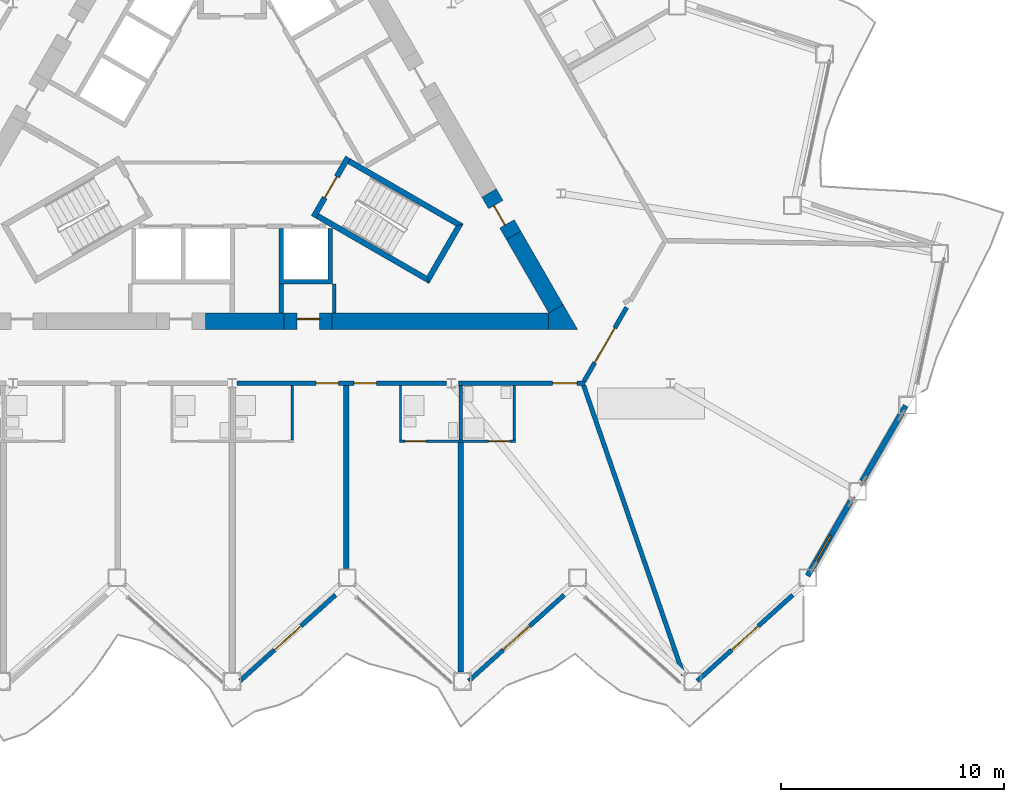
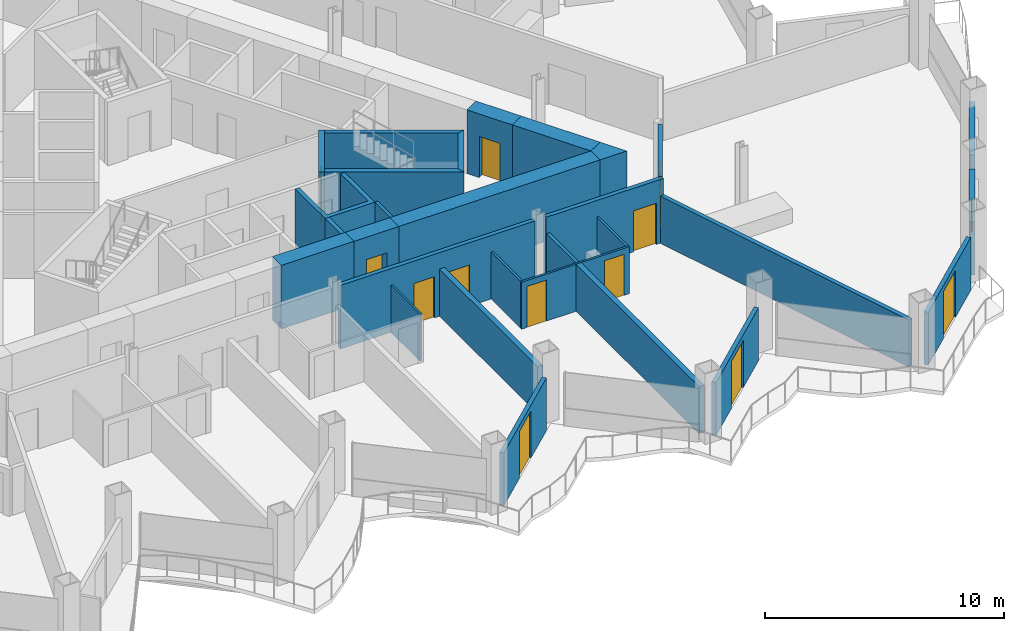
# One storey, part 12 of 23: 29 walls, 12 doors, 1 window, 13 openings.
"""IFC4 building model written with IfcOpenShell, lengths in metres."""

from ifc_helpers import new_model, si_unit, direction, frame, frame_2d, origin, place, context, subcontext, project, spatial, polyline, rectangle, outline, extrude, material, layer, layer_set, type_object, element, fill, save


model = new_model("IFC4")

# Units and contexts
model_context = context("Model", 3, precision=1e-05, world=origin(), true_north=direction((0.0, 1.0)))
body_context = subcontext(model_context, "Body", "Model", "MODEL_VIEW")
ifc_project = project(units=[si_unit("LENGTHUNIT", "METRE"), si_unit("AREAUNIT", "SQUARE_METRE"), si_unit("VOLUMEUNIT", "CUBIC_METRE"), si_unit("PLANEANGLEUNIT", "RADIAN"), si_unit("MASSUNIT", "GRAM", prefix="KILO")], contexts=[model_context])

# Site, building, storey
site_placement = place(None, origin())
site = spatial("IfcSite", under=ifc_project, at=site_placement, CompositionType="ELEMENT")
building_placement = place(site_placement, origin())
building = spatial("IfcBuilding", under=site, at=building_placement, Name="Cormorant Prow Tower", CompositionType="ELEMENT")
storey_placement = place(building_placement, frame((0.0, 0.0, 180.0)))
storey = spatial("IfcBuildingStorey", under=building, at=storey_placement, Name="L38", CompositionType="ELEMENT", Elevation=180.0)

# Walls
ifc_material_1 = material(Name="Gypsum board partition")
ifc_layer_1 = layer(ifc_material_1, 0.14990234375)
ifc_layer_set_1 = layer_set([ifc_layer_1], Name="Gypsum board partition")
wall_type_1 = type_object("IfcWallType", Name="Core partition 150", PredefinedType="PARTITIONING", material=ifc_layer_set_1)
wall_1_placement = place(storey_placement, frame((4.574951171875, -6.906005859375, 0.0), z_axis=(0.0, 0.0, 1.0), x_axis=(0.0, -1.0, 0.0)))
element("IfcWall", 1, at=wall_1_placement, inside=storey, type_object=wall_type_1, Name="Service room partition", PredefinedType="PARTITIONING", context=body_context, shape_type="SweptSolid", body=[
    extrude(rectangle(XDim=1.29296875, YDim=0.14990234375, at=frame_2d((0.646484375, 0.0))), origin(), (0.0, 0.0, 1.0), 3.25),
])
ifc_material_2 = material(Name="Concrete 8000 psi", Category="concrete")
ifc_layer_2 = layer(ifc_material_2, 0.75)
ifc_layer_set_2 = layer_set([ifc_layer_2], Name="Concrete 8000 psi")
wall_type_2 = type_object("IfcWallType", Name="Core shear wall 750", PredefinedType="SHEAR", material=ifc_layer_set_2)
wall_2_placement = place(storey_placement, frame((4.47998046875, -8.573974609375, 0.0), z_axis=(0.0, 0.0, 1.0), x_axis=(1.0, 0.0, 0.0)))
element("IfcWall", 2, at=wall_2_placement, inside=storey, type_object=wall_type_2, Name="Core wall", PredefinedType="SHEAR", context=body_context, shape_type="SweptSolid", body=[
    extrude(rectangle(XDim=9.720947265625, YDim=0.75, at=frame_2d((4.8603515625, 0.0))), origin(), (0.0, 0.0, 1.0), 3.25),
])
wall_3_placement = place(storey_placement, frame((-1.199951171875, -8.573974609375, 0.0), z_axis=(0.0, 0.0, 1.0), x_axis=(1.0, 0.0, 0.0)))
element("IfcWall", 3, at=wall_3_placement, inside=storey, type_object=wall_type_2, Name="Core wall", PredefinedType="SHEAR", context=body_context, shape_type="SweptSolid", body=[
    extrude(rectangle(XDim=3.52001953125, YDim=0.75, at=frame_2d((1.760009765625, 0.0))), origin(), (0.0, 0.0, 1.0), 3.25),
])
wall_4_placement = place(storey_placement, frame((14.525634765625, -8.011474609375, 0.0), z_axis=(0.0, 0.0, 1.0), x_axis=(-0.499996970966, 0.866027152591, 0.0)))
element("IfcWall", 4, at=wall_4_placement, inside=storey, type_object=wall_type_2, Name="Core wall", PredefinedType="SHEAR", context=body_context, shape_type="SweptSolid", body=[
    extrude(rectangle(XDim=3.7978515625, YDim=0.75, at=frame_2d((1.89892578125, 0.0))), origin(), (0.0, 0.0, 1.0), 3.25),
])
wall_5_placement = place(storey_placement, origin())
element("IfcWall", 5, at=wall_5_placement, inside=storey, type_object=wall_type_2, Name="Core wall corner", PredefinedType="SHEAR", context=body_context, shape_type="SweptSolid", body=[
    extrude(outline(polyline([(14.200927734375, -8.948974609375), (14.200927734375, -8.198974609375), (14.8505859375, -7.823974609375), (15.5, -8.948974609375), (14.200927734375, -8.948974609375)])), origin(), (0.0, 0.0, 1.0), 3.25),
])

# Wall, opening, door
wall_6_placement = place(storey_placement, frame((2.320068359375, -8.573974609375, 0.0), z_axis=(0.0, 0.0, 1.0), x_axis=(1.0, 0.0, 0.0)))
wall_6 = element("IfcWall", 6, at=wall_6_placement, inside=storey, type_object=wall_type_2, Name="Core wall door panel", PredefinedType="SHEAR", context=body_context, shape_type="SweptSolid", body=[
    extrude(rectangle(XDim=2.159912109375, YDim=0.75, at=frame_2d((1.080078125, 0.0))), origin(), (0.0, 0.0, 1.0), 3.25),
])
opening_1_placement = place(wall_6_placement, frame((0.60009765625, 0.0, 0.0)))
opening_1 = element("IfcOpeningElement", 7, at=opening_1_placement, cuts=wall_6, Name="Opening L38-C15", PredefinedType="OPENING", context=body_context, shape_type="SweptSolid", body=[
    extrude(rectangle(XDim=1.0, YDim=2.10009765625, at=frame_2d((0.5, 1.050048828125))), frame((0.0, 0.385009765625, 0.0), z_axis=(0.0, -1.0, 0.0), x_axis=(1.0, 0.0, 0.0)), (0.0, 0.0, 1.0), 0.77001953125),
])
ifc_material_3 = material(Name="Painted steel", Category="steel")
door_type_1 = type_object("IfcDoorType", Name="Service door 1000x2100", OperationType="NOTDEFINED", PredefinedType="DOOR", material=ifc_material_3)
door_1_placement = place(opening_1_placement, origin())
door_1 = element("IfcDoor", 8, at=door_1_placement, inside=storey, type_object=door_type_1, Name="Core door, Electrical room", OperationType="SINGLE_SWING_LEFT", OverallHeight=2.10009765625, OverallWidth=1.0, PredefinedType="DOOR", context=body_context, shape_type="SweptSolid", body=[
    extrude(rectangle(XDim=1.0, YDim=2.10009765625, at=frame_2d((0.5, 1.050048828125))), frame((0.0, 0.1298828125, 0.0), z_axis=(0.0, -1.0, 0.0), x_axis=(1.0, 0.0, 0.0)), (0.0, 0.0, 1.0), 0.050048828125),
])
fill(opening_1, door_1)

wall_7_placement = place(storey_placement, frame((12.626708984375, -4.722412109375, 0.0), z_axis=(0.0, 0.0, 1.0), x_axis=(-0.499946605688, 0.86605622881, 0.0)))
wall_7 = element("IfcWall", 9, at=wall_7_placement, inside=storey, type_object=wall_type_2, Name="Core wall door panel", PredefinedType="SHEAR", context=body_context, shape_type="SweptSolid", body=[
    extrude(rectangle(XDim=2.199951171875, YDim=0.75, at=frame_2d((1.10009765625, 0.0))), origin(), (0.0, 0.0, 1.0), 3.25),
])
opening_2_placement = place(wall_7_placement, frame((0.60009765625, 0.0, 0.0)))
opening_2 = element("IfcOpeningElement", 10, at=opening_2_placement, cuts=wall_7, Name="Opening L38-C17", PredefinedType="OPENING", context=body_context, shape_type="SweptSolid", body=[
    extrude(rectangle(XDim=1.0, YDim=2.10009765625, at=frame_2d((0.5, 1.050048828125))), frame((0.0, 0.385009765625, 0.0), z_axis=(0.0, -1.0, 0.0), x_axis=(1.0, 0.0, 0.0)), (0.0, 0.0, 1.0), 0.77001953125),
])
door_2_placement = place(opening_2_placement, origin())
door_2 = element("IfcDoor", 11, at=door_2_placement, inside=storey, type_object=door_type_1, Name="Core door, Refuse store", OperationType="SINGLE_SWING_LEFT", OverallHeight=2.10009765625, OverallWidth=1.0, PredefinedType="DOOR", context=body_context, shape_type="SweptSolid", body=[
    extrude(rectangle(XDim=1.0, YDim=2.10009765625, at=frame_2d((0.5, 1.050048828125))), frame((0.0, 0.1298828125, 0.0), z_axis=(0.0, -1.0, 0.0), x_axis=(1.0, 0.0, 0.0)), (0.0, 0.0, 1.0), 0.050048828125),
])
fill(opening_2, door_2)

# Wall, openings, doors
ifc_material_4 = material(Name="Gypsum board corridor wall")
ifc_layer_3 = layer(ifc_material_4, 0.199951171875)
ifc_layer_set_3 = layer_set([ifc_layer_3], Name="Gypsum board corridor wall")
wall_type_3 = type_object("IfcWallType", Name="Corridor wall 200", PredefinedType="PARTITIONING", material=ifc_layer_set_3)
wall_8_placement = place(storey_placement, frame((0.213623046875, -11.348876953125, 0.0), z_axis=(0.0, 0.0, 1.0), x_axis=(1.0, 0.0, 0.0)))
wall_8 = element("IfcWall", 12, at=wall_8_placement, inside=storey, type_object=wall_type_3, Name="Corridor wall", PredefinedType="PARTITIONING", context=body_context, shape_type="SweptSolid", body=[
    extrude(rectangle(XDim=9.401123046875, YDim=0.199951171875, at=frame_2d((4.70068359375, 0.0))), origin(), (0.0, 0.0, 1.0), 3.25),
])
opening_3_placement = place(wall_8_placement, frame((3.550537109375, 0.0, 0.0)))
opening_3 = element("IfcOpeningElement", 13, at=opening_3_placement, cuts=wall_8, Name="Opening L38-F07", PredefinedType="OPENING", context=body_context, shape_type="SweptSolid", body=[
    extrude(rectangle(XDim=1.0, YDim=2.10009765625, at=frame_2d((0.5, 1.050048828125))), frame((0.0, 0.10986328125, 0.0), z_axis=(0.0, -1.0, 0.0), x_axis=(1.0, 0.0, 0.0)), (0.0, 0.0, 1.0), 0.219970703125),
])
opening_4_placement = place(wall_8_placement, frame((5.250732421875, 0.0, 0.0)))
opening_4 = element("IfcOpeningElement", 14, at=opening_4_placement, cuts=wall_8, Name="Opening L38-F09", PredefinedType="OPENING", context=body_context, shape_type="SweptSolid", body=[
    extrude(rectangle(XDim=1.0, YDim=2.10009765625, at=frame_2d((0.5, 1.050048828125))), frame((0.0, 0.10986328125, 0.0), z_axis=(0.0, -1.0, 0.0), x_axis=(1.0, 0.0, 0.0)), (0.0, 0.0, 1.0), 0.219970703125),
])
ifc_material_5 = material(Name="Timber door leaf", Category="wood")
door_type_2 = type_object("IfcDoorType", Name="Flat or room entrance door 1000x2100", OperationType="NOTDEFINED", PredefinedType="DOOR", material=ifc_material_5)
door_3_placement = place(opening_3_placement, origin())
door_3 = element("IfcDoor", 15, at=door_3_placement, inside=storey, type_object=door_type_2, Name="Guest room door", OperationType="SINGLE_SWING_RIGHT", OverallHeight=2.10009765625, OverallWidth=1.0, PredefinedType="DOOR", context=body_context, shape_type="SweptSolid", body=[
    extrude(rectangle(XDim=1.0, YDim=2.10009765625, at=frame_2d((0.5, 1.050048828125))), frame((0.0, 0.02490234375, 0.0), z_axis=(0.0, -1.0, 0.0), x_axis=(1.0, 0.0, 0.0)), (0.0, 0.0, 1.0), 0.050048828125),
])
fill(opening_3, door_3)
door_4_placement = place(opening_4_placement, origin())
door_4 = element("IfcDoor", 16, at=door_4_placement, inside=storey, type_object=door_type_2, Name="Guest room door", OperationType="SINGLE_SWING_LEFT", OverallHeight=2.10009765625, OverallWidth=1.0, PredefinedType="DOOR", context=body_context, shape_type="SweptSolid", body=[
    extrude(rectangle(XDim=1.0, YDim=2.10009765625, at=frame_2d((0.5, 1.050048828125))), frame((0.0, 0.02490234375, 0.0), z_axis=(0.0, -1.0, 0.0), x_axis=(1.0, 0.0, 0.0)), (0.0, 0.0, 1.0), 0.050048828125),
])
fill(opening_4, door_4)

# Wall, opening, door
wall_9_placement = place(storey_placement, frame((10.144287109375, -11.348876953125, 0.0), z_axis=(0.0, 0.0, 1.0), x_axis=(1.0, 0.0, 0.0)))
wall_9 = element("IfcWall", 17, at=wall_9_placement, inside=storey, type_object=wall_type_3, Name="Corridor wall", PredefinedType="PARTITIONING", context=body_context, shape_type="SweptSolid", body=[
    extrude(rectangle(XDim=5.6865234375, YDim=0.199951171875, at=frame_2d((2.84326171875, 0.0))), origin(), (0.0, 0.0, 1.0), 3.25),
])
opening_5_placement = place(wall_9_placement, frame((4.234619140625, 0.0, 0.0)))
opening_5 = element("IfcOpeningElement", 18, at=opening_5_placement, cuts=wall_9, Name="Opening L38-F11", PredefinedType="OPENING", context=body_context, shape_type="SweptSolid", body=[
    extrude(rectangle(XDim=1.10009765625, YDim=2.10009765625, at=frame_2d((0.550048828125, 1.050048828125))), frame((0.0, 0.10986328125, 0.0), z_axis=(0.0, -1.0, 0.0), x_axis=(1.0, 0.0, 0.0)), (0.0, 0.0, 1.0), 0.219970703125),
])
ifc_material_6 = material(Name="Timber door leaf", Category="wood")
door_type_3 = type_object("IfcDoorType", Name="Suite entrance door 1100x2100", OperationType="NOTDEFINED", PredefinedType="DOOR", material=ifc_material_6)
door_5_placement = place(opening_5_placement, origin())
door_5 = element("IfcDoor", 19, at=door_5_placement, inside=storey, type_object=door_type_3, Name="Junior suite door", OperationType="SINGLE_SWING_RIGHT", OverallHeight=2.10009765625, OverallWidth=1.10009765625, PredefinedType="DOOR", context=body_context, shape_type="SweptSolid", body=[
    extrude(rectangle(XDim=1.10009765625, YDim=2.10009765625, at=frame_2d((0.550048828125, 1.050048828125))), frame((0.0, 0.02490234375, 0.0), z_axis=(0.0, -1.0, 0.0), x_axis=(1.0, 0.0, 0.0)), (0.0, 0.0, 1.0), 0.050048828125),
])
fill(opening_5, door_5)

wall_10_placement = place(storey_placement, frame((15.781005859375, -11.26220703125, 0.0), z_axis=(0.0, 0.0, 1.0), x_axis=(0.499989446428, 0.866031496806, 0.0)))
wall_10 = element("IfcWall", 20, at=wall_10_placement, inside=storey, type_object=wall_type_3, Name="Corridor wall", PredefinedType="PARTITIONING", context=body_context, shape_type="SweptSolid", body=[
    extrude(rectangle(XDim=3.82568359375, YDim=0.199951171875, at=frame_2d((1.912841796875, 0.0))), origin(), (0.0, 0.0, 1.0), 3.25),
])
opening_6_placement = place(wall_10_placement, frame((0.962158203125, 0.0, 0.0)))
opening_6 = element("IfcOpeningElement", 21, at=opening_6_placement, cuts=wall_10, Name="Opening L38-F13", PredefinedType="OPENING", context=body_context, shape_type="SweptSolid", body=[
    extrude(rectangle(XDim=1.800048828125, YDim=2.10009765625, at=frame_2d((0.89990234375, 1.050048828125))), frame((0.0, 0.10986328125, 0.0), z_axis=(0.0, -1.0, 0.0), x_axis=(1.0, 0.0, 0.0)), (0.0, 0.0, 1.0), 0.219970703125),
])
ifc_material_7 = material(Name="Timber door leaf", Category="wood")
door_type_4 = type_object("IfcDoorType", Name="Double door 1800x2100", OperationType="DOUBLE_DOOR_SINGLE_SWING", PredefinedType="DOOR", material=ifc_material_7)
door_6_placement = place(opening_6_placement, origin())
door_6 = element("IfcDoor", 22, at=door_6_placement, inside=storey, type_object=door_type_4, Name="Co-working space door", OperationType="DOUBLE_DOOR_SINGLE_SWING", OverallHeight=2.10009765625, OverallWidth=1.800048828125, PredefinedType="DOOR", context=body_context, shape_type="SweptSolid", body=[
    extrude(rectangle(XDim=1.800048828125, YDim=2.10009765625, at=frame_2d((0.89990234375, 1.050048828125))), frame((0.0, 0.02490234375, 0.0), z_axis=(0.0, -1.0, 0.0), x_axis=(1.0, 0.0, 0.0)), (0.0, 0.0, 1.0), 0.050048828125),
])
fill(opening_6, door_6)

# Wall
ifc_material_8 = material(Name="Gypsum board demising wall")
ifc_layer_4 = layer(ifc_material_8, 0.199951171875)
ifc_layer_set_4 = layer_set([ifc_layer_4], Name="Gypsum board demising wall")
wall_type_4 = type_object("IfcWallType", Name="Demising wall 200", PredefinedType="PARTITIONING", material=ifc_layer_set_4)
wall_11_placement = place(storey_placement, frame((15.763427734375, -11.443603515625, 0.0), z_axis=(0.0, 0.0, 1.0), x_axis=(0.325902118519, -0.945403516571, 0.0)))
element("IfcWall", 23, at=wall_11_placement, inside=storey, type_object=wall_type_4, Name="Demising wall", PredefinedType="PARTITIONING", context=body_context, shape_type="SweptSolid", body=[
    extrude(rectangle(XDim=13.762939453125, YDim=0.199951171875, at=frame_2d((6.88134765625, 0.0))), origin(), (0.0, 0.0, 1.0), 2.404296875),
])

# Wall, openings, doors
ifc_material_9 = material(Name="Gypsum board partition")
ifc_layer_5 = layer(ifc_material_9, 0.10009765625)
ifc_layer_set_5 = layer_set([ifc_layer_5], Name="Gypsum board partition")
wall_type_5 = type_object("IfcWallType", Name="Internal partition 100", PredefinedType="PARTITIONING", material=ifc_layer_set_5)
wall_12_placement = place(storey_placement, frame((7.504150390625, -13.948974609375, 0.0), z_axis=(0.0, 0.0, 1.0), x_axis=(1.0, 0.0, 0.0)))
wall_12 = element("IfcWall", 24, at=wall_12_placement, inside=storey, type_object=wall_type_5, Name="Internal partition", PredefinedType="PARTITIONING", context=body_context, shape_type="SweptSolid", body=[
    extrude(rectangle(XDim=5.199951171875, YDim=0.10009765625, at=frame_2d((2.60009765625, 0.0))), origin(), (0.0, 0.0, 1.0), 2.404296875),
])
opening_7_placement = place(wall_12_placement, frame((0.25, 0.0, 0.0)))
opening_7 = element("IfcOpeningElement", 25, at=opening_7_placement, cuts=wall_12, Name="Opening L38-F10", PredefinedType="OPENING", context=body_context, shape_type="SweptSolid", body=[
    extrude(rectangle(XDim=0.949951171875, YDim=2.10009765625, at=frame_2d((0.47509765625, 1.050048828125))), frame((0.0, 0.06005859375, 0.0), z_axis=(0.0, -1.0, 0.0), x_axis=(1.0, 0.0, 0.0)), (0.0, 0.0, 1.0), 0.1201171875),
])
opening_8_placement = place(wall_12_placement, frame((4.0, 0.0, 0.0)))
opening_8 = element("IfcOpeningElement", 26, at=opening_8_placement, cuts=wall_12, Name="Opening L38-F12", PredefinedType="OPENING", context=body_context, shape_type="SweptSolid", body=[
    extrude(rectangle(XDim=0.949951171875, YDim=2.10009765625, at=frame_2d((0.47509765625, 1.050048828125))), frame((0.0, 0.06005859375, 0.0), z_axis=(0.0, -1.0, 0.0), x_axis=(1.0, 0.0, 0.0)), (0.0, 0.0, 1.0), 0.1201171875),
])
ifc_material_10 = material(Name="Timber door leaf", Category="wood")
door_type_5 = type_object("IfcDoorType", Name="Bathroom door 950x2100", OperationType="NOTDEFINED", PredefinedType="DOOR", material=ifc_material_10)
door_7_placement = place(opening_7_placement, origin())
door_7 = element("IfcDoor", 27, at=door_7_placement, inside=storey, type_object=door_type_5, Name="Guest room door", OperationType="SINGLE_SWING_LEFT", OverallHeight=2.10009765625, OverallWidth=0.949951171875, PredefinedType="DOOR", context=body_context, shape_type="SweptSolid", body=[
    extrude(rectangle(XDim=0.949951171875, YDim=2.10009765625, at=frame_2d((0.47509765625, 1.050048828125))), frame((0.0, 0.02490234375, 0.0), z_axis=(0.0, -1.0, 0.0), x_axis=(1.0, 0.0, 0.0)), (0.0, 0.0, 1.0), 0.050048828125),
])
fill(opening_7, door_7)
door_8_placement = place(opening_8_placement, origin())
door_8 = element("IfcDoor", 28, at=door_8_placement, inside=storey, type_object=door_type_5, Name="Junior suite door", OperationType="SINGLE_SWING_RIGHT", OverallHeight=2.10009765625, OverallWidth=0.949951171875, PredefinedType="DOOR", context=body_context, shape_type="SweptSolid", body=[
    extrude(rectangle(XDim=0.949951171875, YDim=2.10009765625, at=frame_2d((0.47509765625, 1.050048828125))), frame((0.0, 0.02490234375, 0.0), z_axis=(0.0, -1.0, 0.0), x_axis=(1.0, 0.0, 0.0)), (0.0, 0.0, 1.0), 0.050048828125),
])
fill(opening_8, door_8)

# Walls
for number, where, z_axis, x_axis, name in (
    (29, (2.699951171875, -13.89892578125, 0.0), (0.0, 0.0, 1.0), (0.0, 1.0, 0.0), "Internal partition"),
    (30, (7.55419921875, -13.89892578125, 0.0), (0.0, 0.0, 1.0), (0.0, 1.0, 0.0), "Internal partition"),
    (31, (12.654296875, -13.89892578125, 0.0), (0.0, 0.0, 1.0), (0.0, 1.0, 0.0), "Internal partition"),
):
    element("IfcWall", number, at=place(storey_placement, frame(where, z_axis=z_axis, x_axis=x_axis)), inside=storey, type_object=wall_type_5, Name=name, PredefinedType="PARTITIONING", context=body_context, shape_type="SweptSolid", body=[
        extrude(rectangle(XDim=2.449951171875, YDim=0.10009765625, at=frame_2d((1.22509765625, 0.0))), origin(), (0.0, 0.0, 1.0), 2.404296875),
    ])
ifc_material_11 = material(Name="Concrete 8000 psi", Category="concrete")
ifc_layer_6 = layer(ifc_material_11, 0.199951171875)
ifc_layer_set_6 = layer_set([ifc_layer_6], Name="Concrete 8000 psi")
wall_type_6 = type_object("IfcWallType", Name="Lift shaft wall 200", PredefinedType="SHEAR", material=ifc_layer_set_6)
wall_13_placement = place(storey_placement, origin())
element("IfcWall", 32, at=wall_13_placement, inside=storey, type_object=wall_type_6, Name="Lift shaft walls, S block", PredefinedType="SHEAR", context=body_context, shape_type="SweptSolid", body=[
    extrude(outline(polyline([(4.5, -4.39990234375), (4.5, -6.906005859375), (2.10009765625, -6.906005859375), (2.10009765625, -4.39990234375), (2.300048828125, -4.39990234375), (2.300048828125, -6.699951171875), (4.300048828125, -6.699951171875), (4.300048828125, -4.39990234375), (4.5, -4.39990234375)])), origin(), (0.0, 0.0, 1.0), 3.25),
])
wall_14_placement = place(storey_placement, frame((2.199951171875, -6.906005859375, 0.0), z_axis=(0.0, 0.0, 1.0), x_axis=(0.0, -1.0, 0.0)))
element("IfcWall", 33, at=wall_14_placement, inside=storey, type_object=wall_type_6, Name="Store side wall", PredefinedType="SHEAR", context=body_context, shape_type="SweptSolid", body=[
    extrude(rectangle(XDim=1.29296875, YDim=0.199951171875, at=frame_2d((0.646484375, 0.0))), origin(), (0.0, 0.0, 1.0), 3.25),
])
ifc_material_12 = material(Name="Concrete 8000 psi", Category="concrete")
ifc_layer_7 = layer(ifc_material_12, 0.25)
ifc_layer_set_7 = layer_set([ifc_layer_7], Name="Concrete 8000 psi")
wall_type_7 = type_object("IfcWallType", Name="Stair wall 250", PredefinedType="SHEAR", material=ifc_layer_set_7)
wall_15_placement = place(storey_placement, origin())
element("IfcWall", 34, at=wall_15_placement, inside=storey, type_object=wall_type_7, Name="Stair ST2 enclosure wall (flank)", PredefinedType="SHEAR", context=body_context, shape_type="SweptSolid", body=[
    extrude(outline(polyline([(3.76318359375, -3.95556640625), (8.82958984375, -6.880615234375), (8.738037109375, -6.5390625), (3.88818359375, -3.739013671875), (3.76318359375, -3.95556640625)])), origin(), (0.0, 0.0, 1.0), 3.25),
])
wall_16_placement = place(storey_placement, origin())
element("IfcWall", 35, at=wall_16_placement, inside=storey, type_object=wall_type_7, Name="Stair ST2 enclosure wall (end)", PredefinedType="SHEAR", context=body_context, shape_type="SweptSolid", body=[
    extrude(outline(polyline([(8.82958984375, -6.880615234375), (10.37353515625, -4.206298828125), (10.031982421875, -4.2978515625), (8.738037109375, -6.5390625), (8.82958984375, -6.880615234375)])), origin(), (0.0, 0.0, 1.0), 3.25),
])
wall_17_placement = place(storey_placement, origin())
element("IfcWall", 36, at=wall_17_placement, inside=storey, type_object=wall_type_7, Name="Stair ST2 enclosure wall (flank)", PredefinedType="SHEAR", context=body_context, shape_type="SweptSolid", body=[
    extrude(outline(polyline([(10.031982421875, -4.2978515625), (10.37353515625, -4.206298828125), (5.30712890625, -1.28125), (5.18212890625, -1.497802734375), (10.031982421875, -4.2978515625)])), origin(), (0.0, 0.0, 1.0), 3.25),
])

# Wall, opening, door
wall_18_placement = place(storey_placement, frame((3.655029296875, -3.89306640625, 0.0), z_axis=(0.0, 0.0, 1.0), x_axis=(0.499982516597, 0.866035497597, 0.0)))
wall_18 = element("IfcWall", 37, at=wall_18_placement, inside=storey, type_object=wall_type_7, Name="Stair ST2 door wall", PredefinedType="SHEAR", context=body_context, shape_type="SweptSolid", body=[
    extrude(rectangle(XDim=3.087890625, YDim=0.25, at=frame_2d((1.5439453125, 0.0))), origin(), (0.0, 0.0, 1.0), 3.25),
])
opening_9_placement = place(wall_18_placement, frame((0.993896484375, 0.0, 0.0)))
opening_9 = element("IfcOpeningElement", 38, at=opening_9_placement, cuts=wall_18, Name="Opening L38-C12", PredefinedType="OPENING", context=body_context, shape_type="SweptSolid", body=[
    extrude(rectangle(XDim=1.10009765625, YDim=2.10009765625, at=frame_2d((0.550048828125, 1.050048828125))), frame((0.0, 0.135009765625, 0.0), z_axis=(0.0, -1.0, 0.0), x_axis=(1.0, 0.0, 0.0)), (0.0, 0.0, 1.0), 0.27001953125),
])
ifc_material_13 = material(Name="Painted steel", Category="steel")
door_type_6 = type_object("IfcDoorType", Name="Stair door 1100x2100", OperationType="NOTDEFINED", PredefinedType="DOOR", material=ifc_material_13)
door_9_placement = place(opening_9_placement, origin())
door_9 = element("IfcDoor", 39, at=door_9_placement, inside=storey, type_object=door_type_6, Name="Stair ST2 door", OperationType="SINGLE_SWING_RIGHT", OverallHeight=2.10009765625, OverallWidth=1.10009765625, PredefinedType="DOOR", context=body_context, shape_type="SweptSolid", body=[
    extrude(rectangle(XDim=1.10009765625, YDim=2.10009765625, at=frame_2d((0.550048828125, 1.050048828125))), frame((0.0, 0.02490234375, 0.0), z_axis=(0.0, -1.0, 0.0), x_axis=(1.0, 0.0, 0.0)), (0.0, 0.0, 1.0), 0.050048828125),
])
fill(opening_9, door_9)

# Walls
ifc_material_14 = material(Name="Acoustic gypsum party wall")
ifc_layer_8 = layer(ifc_material_14, 0.25)
ifc_layer_set_8 = layer_set([ifc_layer_8], Name="Acoustic gypsum party wall")
wall_type_8 = type_object("IfcWallType", Name="Suite party wall 250", PredefinedType="PARTITIONING", material=ifc_layer_set_8)
wall_19_placement = place(storey_placement, frame((10.254150390625, -24.3115234375, 0.0), z_axis=(0.0, 0.0, 1.0), x_axis=(0.0, 1.0, 0.0)))
element("IfcWall", 40, at=wall_19_placement, inside=storey, type_object=wall_type_8, Name="Suite party wall", PredefinedType="PARTITIONING", context=body_context, shape_type="SweptSolid", body=[
    extrude(rectangle(XDim=10.312744140625, YDim=0.25, at=frame_2d((5.15625, 0.0))), origin(), (0.0, 0.0, 1.0), 2.404296875),
])
wall_20_placement = place(storey_placement, frame((5.127197265625, -19.661376953125, 0.0), z_axis=(0.0, 0.0, 1.0), x_axis=(0.0, 1.0, 0.0)))
element("IfcWall", 41, at=wall_20_placement, inside=storey, type_object=wall_type_8, Name="Suite party wall", PredefinedType="PARTITIONING", context=body_context, shape_type="SweptSolid", body=[
    extrude(rectangle(XDim=8.21240234375, YDim=0.25, at=frame_2d((4.106201171875, 0.0))), origin(), (0.0, 0.0, 1.0), 2.404296875),
])

# Wall, opening, window
ifc_material_15 = material(Name="Terracotta", Category="masonry")
ifc_layer_9 = layer(ifc_material_15, 0.25)
ifc_layer_set_9 = layer_set([ifc_layer_9], Name="Terracotta")
wall_type_9 = type_object("IfcWallType", Name="Terracotta bay wall 250", PredefinedType="SOLIDWALL", material=ifc_layer_set_9)
wall_21_placement = place(storey_placement, frame((25.811279296875, -19.9873046875, 0.0), z_axis=(0.0, 0.0, 1.0), x_axis=(0.499981047344, 0.866036345829, 0.0)))
wall_21 = element("IfcWall", 42, at=wall_21_placement, inside=storey, type_object=wall_type_9, Name="Terracotta bay wall ESE00", PredefinedType="SOLIDWALL", context=body_context, shape_type="SweptSolid", body=[
    extrude(rectangle(XDim=3.868408203125, YDim=0.25, at=frame_2d((1.93408203125, 0.0))), origin(), (0.0, 0.0, 1.0), 2.700927734375),
])
opening_10_placement = place(wall_21_placement, frame((0.699951171875, 0.0, 1.699951171875)))
opening_10 = element("IfcOpeningElement", 43, at=opening_10_placement, cuts=wall_21, Name="Opening WN3", PredefinedType="OPENING", context=body_context, shape_type="SweptSolid", body=[
    extrude(rectangle(XDim=1.39990234375, YDim=0.800048828125, at=frame_2d((0.699951171875, 0.39990234375))), frame((0.0, 0.135009765625, 0.0), z_axis=(0.0, -1.0, 0.0), x_axis=(1.0, 0.0, 0.0)), (0.0, 0.0, 1.0), 0.27001953125),
])
ifc_material_16 = material(Name="Aluminium 6063-T6", Category="aluminium")
window_type = type_object("IfcWindowType", Name="Corner bay window 1400x800", PartitioningType="SINGLE_PANEL", PredefinedType="WINDOW", material=ifc_material_16)
window_placement = place(opening_10_placement, origin())
window = element("IfcWindow", 44, at=window_placement, inside=storey, type_object=window_type, Name="Corner bay window ESE00", OverallHeight=0.800048828125, OverallWidth=1.39990234375, PartitioningType="SINGLE_PANEL", PredefinedType="WINDOW", context=body_context, shape_type="SweptSolid", body=[
    extrude(rectangle(XDim=1.39990234375, YDim=0.800048828125, at=frame_2d((0.699951171875, 0.39990234375))), frame((0.0, 0.030029296875, 0.0), z_axis=(0.0, -1.0, 0.0), x_axis=(1.0, 0.0, 0.0)), (0.0, 0.0, 1.0), 0.06005859375),
])
fill(opening_10, window)

# Wall
wall_22_placement = place(storey_placement, frame((28.2578125, -15.749755859375, 0.0), z_axis=(0.0, 0.0, 1.0), x_axis=(0.499995984904, 0.866027721889, 0.0)))
element("IfcWall", 45, at=wall_22_placement, inside=storey, type_object=wall_type_9, Name="Terracotta bay wall ESE01", PredefinedType="SOLIDWALL", context=body_context, shape_type="SweptSolid", body=[
    extrude(rectangle(XDim=3.91455078125, YDim=0.25, at=frame_2d((1.957275390625, 0.0))), origin(), (0.0, 0.0, 1.0), 2.700927734375),
])

# Wall, opening, door
ifc_material_17 = material(Name="Terracotta", Category="masonry")
ifc_layer_10 = layer(ifc_material_17, 0.199951171875)
ifc_layer_set_10 = layer_set([ifc_layer_10], Name="Terracotta")
wall_type_10 = type_object("IfcWallType", Name="Terracotta jamb wall 200", PredefinedType="SOLIDWALL", material=ifc_layer_set_10)
wall_23_placement = place(storey_placement, frame((0.355224609375, -24.703857421875, 0.0), z_axis=(0.0, 0.0, 1.0), x_axis=(0.743140362926, 0.669135562491, 0.0)))
wall_23 = element("IfcWall", 46, at=wall_23_placement, inside=storey, type_object=wall_type_10, Name="Terracotta jamb wall S05", PredefinedType="SOLIDWALL", context=body_context, shape_type="SweptSolid", body=[
    extrude(rectangle(XDim=5.763427734375, YDim=0.199951171875, at=frame_2d((2.8818359375, 0.0))), origin(), (0.0, 0.0, 1.0), 2.700927734375),
])
opening_11_placement = place(wall_23_placement, frame((2.08154296875, 0.0, 0.0)))
opening_11 = element("IfcOpeningElement", 47, at=opening_11_placement, cuts=wall_23, Name="Opening ED38.03", PredefinedType="OPENING", context=body_context, shape_type="SweptSolid", body=[
    extrude(rectangle(XDim=1.60009765625, YDim=2.39990234375, at=frame_2d((0.800048828125, 1.199951171875))), frame((0.0, 0.10986328125, 0.0), z_axis=(0.0, -1.0, 0.0), x_axis=(1.0, 0.0, 0.0)), (0.0, 0.0, 1.0), 0.219970703125),
])
ifc_material_18 = material(Name="Aluminium 6063-T6", Category="aluminium")
door_type_7 = type_object("IfcDoorType", Name="Balcony door 1600x2400", OperationType="DOUBLE_DOOR_SINGLE_SWING", PredefinedType="DOOR", material=ifc_material_18)
door_10_placement = place(opening_11_placement, origin())
door_10 = element("IfcDoor", 48, at=door_10_placement, inside=storey, type_object=door_type_7, Name="Balcony door S05 ED38.03", OperationType="DOUBLE_DOOR_SINGLE_SWING", OverallHeight=2.39990234375, OverallWidth=1.60009765625, PredefinedType="DOOR", context=body_context, shape_type="SweptSolid", body=[
    extrude(rectangle(XDim=1.60009765625, YDim=2.39990234375, at=frame_2d((0.800048828125, 1.199951171875))), frame((0.0, 0.02490234375, 0.0), z_axis=(0.0, -1.0, 0.0), x_axis=(1.0, 0.0, 0.0)), (0.0, 0.0, 1.0), 0.050048828125),
])
fill(opening_11, door_10)

wall_24_placement = place(storey_placement, frame((10.609375, -24.703857421875, 0.0), z_axis=(0.0, 0.0, 1.0), x_axis=(0.743140362926, 0.669135562491, 0.0)))
wall_24 = element("IfcWall", 49, at=wall_24_placement, inside=storey, type_object=wall_type_10, Name="Terracotta jamb wall S07", PredefinedType="SOLIDWALL", context=body_context, shape_type="SweptSolid", body=[
    extrude(rectangle(XDim=5.763427734375, YDim=0.199951171875, at=frame_2d((2.8818359375, 0.0))), origin(), (0.0, 0.0, 1.0), 2.700927734375),
])
opening_12_placement = place(wall_24_placement, frame((2.08154296875, 0.0, 0.0)))
opening_12 = element("IfcOpeningElement", 50, at=opening_12_placement, cuts=wall_24, Name="Opening ED38.04", PredefinedType="OPENING", context=body_context, shape_type="SweptSolid", body=[
    extrude(rectangle(XDim=1.60009765625, YDim=2.39990234375, at=frame_2d((0.800048828125, 1.199951171875))), frame((0.0, 0.10986328125, 0.0), z_axis=(0.0, -1.0, 0.0), x_axis=(1.0, 0.0, 0.0)), (0.0, 0.0, 1.0), 0.219970703125),
])
door_11_placement = place(opening_12_placement, origin())
door_11 = element("IfcDoor", 51, at=door_11_placement, inside=storey, type_object=door_type_7, Name="Balcony door S07 ED38.04", OperationType="DOUBLE_DOOR_SINGLE_SWING", OverallHeight=2.39990234375, OverallWidth=1.60009765625, PredefinedType="DOOR", context=body_context, shape_type="SweptSolid", body=[
    extrude(rectangle(XDim=1.60009765625, YDim=2.39990234375, at=frame_2d((0.800048828125, 1.199951171875))), frame((0.0, 0.02490234375, 0.0), z_axis=(0.0, -1.0, 0.0), x_axis=(1.0, 0.0, 0.0)), (0.0, 0.0, 1.0), 0.050048828125),
])
fill(opening_12, door_11)

wall_25_placement = place(storey_placement, frame((20.863525390625, -24.703857421875, 0.0), z_axis=(0.0, 0.0, 1.0), x_axis=(0.743140362926, 0.669135562491, 0.0)))
wall_25 = element("IfcWall", 52, at=wall_25_placement, inside=storey, type_object=wall_type_10, Name="Terracotta jamb wall S09", PredefinedType="SOLIDWALL", context=body_context, shape_type="SweptSolid", body=[
    extrude(rectangle(XDim=5.763427734375, YDim=0.199951171875, at=frame_2d((2.8818359375, 0.0))), origin(), (0.0, 0.0, 1.0), 2.700927734375),
])
opening_13_placement = place(wall_25_placement, frame((2.08154296875, 0.0, 0.0)))
opening_13 = element("IfcOpeningElement", 53, at=opening_13_placement, cuts=wall_25, Name="Opening ED38.05", PredefinedType="OPENING", context=body_context, shape_type="SweptSolid", body=[
    extrude(rectangle(XDim=1.60009765625, YDim=2.39990234375, at=frame_2d((0.800048828125, 1.199951171875))), frame((0.0, 0.10986328125, 0.0), z_axis=(0.0, -1.0, 0.0), x_axis=(1.0, 0.0, 0.0)), (0.0, 0.0, 1.0), 0.219970703125),
])
door_12_placement = place(opening_13_placement, origin())
door_12 = element("IfcDoor", 54, at=door_12_placement, inside=storey, type_object=door_type_7, Name="Balcony door S09 ED38.05", OperationType="DOUBLE_DOOR_SINGLE_SWING", OverallHeight=2.39990234375, OverallWidth=1.60009765625, PredefinedType="DOOR", context=body_context, shape_type="SweptSolid", body=[
    extrude(rectangle(XDim=1.60009765625, YDim=2.39990234375, at=frame_2d((0.800048828125, 1.199951171875))), frame((0.0, 0.02490234375, 0.0), z_axis=(0.0, -1.0, 0.0), x_axis=(1.0, 0.0, 0.0)), (0.0, 0.0, 1.0), 0.050048828125),
])
fill(opening_13, door_12)

# Wall
ifc_material_19 = material(Name="Plasterboard wet wall with pipe chase")
ifc_layer_11 = layer(ifc_material_19, 0.14990234375)
ifc_layer_set_11 = layer_set([ifc_layer_11], Name="Plasterboard wet wall with pipe chase")
wall_type_11 = type_object("IfcWallType", Name="Wet wall 150", PredefinedType="PLUMBINGWALL", material=ifc_layer_set_11)
wall_26_placement = place(storey_placement, frame((10.254150390625, -13.89892578125, 0.0), z_axis=(0.0, 0.0, 1.0), x_axis=(0.0, 1.0, 0.0)))
element("IfcWall", 55, at=wall_26_placement, inside=storey, type_object=wall_type_11, Name="Wet wall", PredefinedType="PLUMBINGWALL", context=body_context, shape_type="SweptSolid", body=[
    extrude(rectangle(XDim=2.449951171875, YDim=0.14990234375, at=frame_2d((1.22509765625, 0.0))), origin(), (0.0, 0.0, 1.0), 2.404296875),
])

save(model, "model.ifc")
